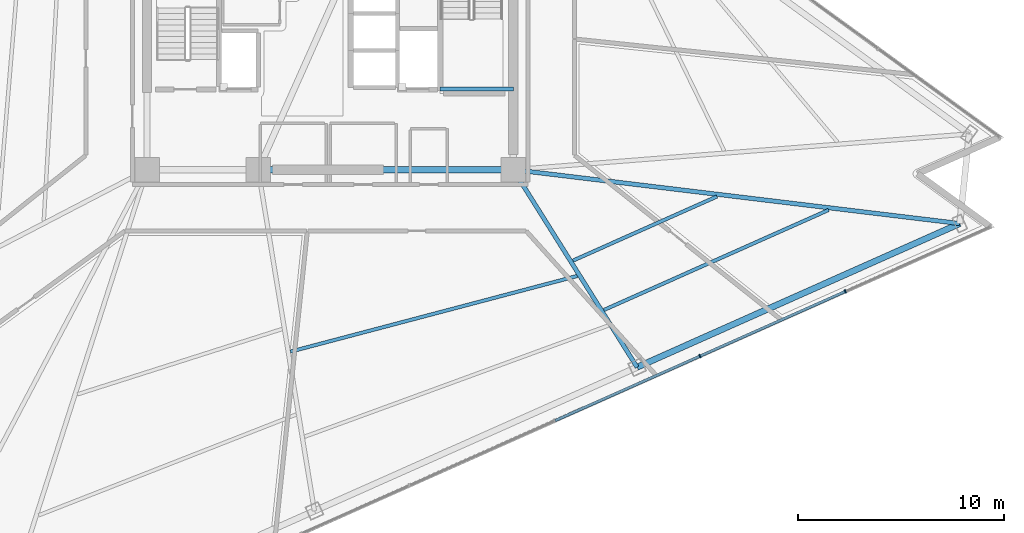
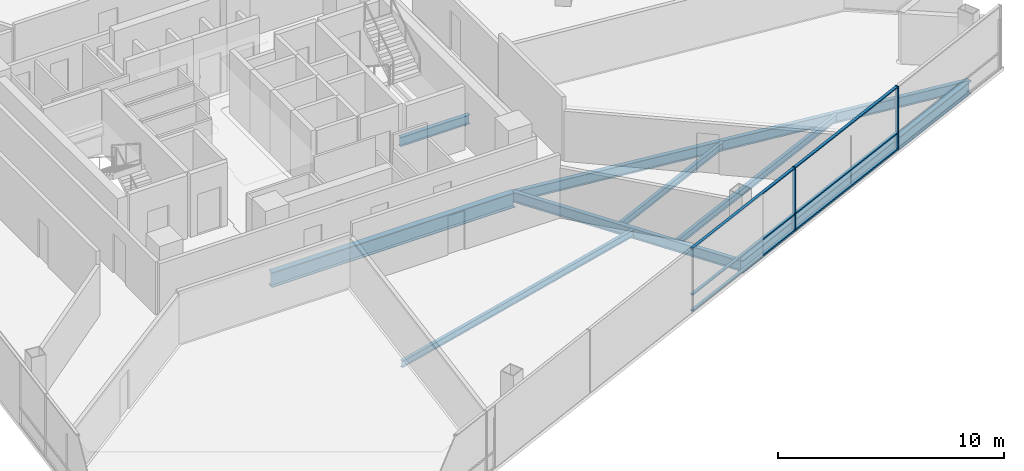
# One storey, part 5 of 19: 8 beams, 8 members, 1 element without a shape of its own.
"""IFC4 building model written with IfcOpenShell, lengths in metres."""

import ifcopenshell
import ifcopenshell.guid

model = None  # the IFC model being written
_history = None  # IfcOwnerHistory: only IFC2X3 demands one
_inside = {}  # id of a spatial element -> (the spatial element, [elements in it])
_under = {}  # id of a project, library or spatial element -> (it, [spatial elements below it])
_declared = {}  # id of a project -> (the project, [libraries it declares])
_typed = {}  # id of a type object -> (the type object, [elements of that type])
_made_of = {}  # id of a material, layer set ... -> (it, [elements and type objects made of it])


def new_model(schema):
    """Start an empty IFC model of exactly this schema.

    Asked for "IFC4X3", IfcOpenShell would pick the latest addendum, in which some entities
    have other attributes; the version numbers below select the first issue.
    IFC2X3 requires an IfcOwnerHistory on every rooted entity: one is made here for all.
    """
    global model, _history
    if schema == "IFC4X3":
        model = ifcopenshell.file(schema_version=(4, 3, 0, 0))
    else:
        model = ifcopenshell.file(schema=schema)
    _inside.clear()
    _under.clear()
    _declared.clear()
    _typed.clear()
    _made_of.clear()
    _history = None
    if model.schema == "IFC2X3":
        org = make("IfcOrganization", Name="unknown")
        user = make(
            "IfcPersonAndOrganization",
            ThePerson=make("IfcPerson", FamilyName="unknown"),
            TheOrganization=org,
        )
        app = make(
            "IfcApplication",
            ApplicationDeveloper=org,
            Version="unknown",
            ApplicationFullName="unknown",
            ApplicationIdentifier="unknown",
        )
        _history = make(
            "IfcOwnerHistory",
            OwningUser=user,
            OwningApplication=app,
            ChangeAction="ADDED",
            CreationDate=0,
        )
    return model


def make(cls, **values):
    """One entity of the class cls with the attributes given. An attribute that is None is left unset."""
    return model.create_entity(
        cls, **{name: value for name, value in values.items() if value is not None}
    )


def rooted(cls, **values):
    """An entity with a GlobalId (a new one), such as an element, a storey or a relation."""
    return make(cls, GlobalId=ifcopenshell.guid.new(), OwnerHistory=_history, **values)


def si_unit(unit_type, name, prefix=None):
    """IfcSIUnit, for example si_unit("LENGTHUNIT", "METRE", prefix="MILLI")."""
    return make("IfcSIUnit", UnitType=unit_type, Prefix=prefix, Name=name)


def assignment(units):
    """IfcUnitAssignment: the units of a project."""
    return None if units is None else make("IfcUnitAssignment", Units=units)


def point(xyz):
    """IfcCartesianPoint."""
    return None if xyz is None else make("IfcCartesianPoint", Coordinates=xyz)


def direction(xyz):
    """IfcDirection."""
    return None if xyz is None else make("IfcDirection", DirectionRatios=xyz)


def frame(location, z_axis=None, x_axis=None):
    """IfcAxis2Placement3D, a coordinate frame: its origin and axes. An axis left out is left unset."""
    return make(
        "IfcAxis2Placement3D",
        Location=point(location),
        Axis=direction(z_axis),
        RefDirection=direction(x_axis),
    )


def frame_2d(location, x_axis=None):
    """IfcAxis2Placement2D, a coordinate frame in the plane: its origin and x axis."""
    return make(
        "IfcAxis2Placement2D", Location=point(location), RefDirection=direction(x_axis)
    )


def origin():
    """The frame at (0, 0, 0) with its axes left unset."""
    return frame((0.0, 0.0, 0.0))


def origin_2d():
    """The frame at (0, 0) in the plane with its x axis left unset."""
    return frame_2d((0.0, 0.0))


def place(relative_to, where):
    """IfcLocalPlacement: puts the frame where relative to a parent placement (None: the world)."""
    return make(
        "IfcLocalPlacement", PlacementRelTo=relative_to, RelativePlacement=where
    )


def context(
    kind, dimensions, precision=None, world=None, true_north=None, identifier=None
):
    """IfcGeometricRepresentationContext, for example the 3D "Model" context."""
    return make(
        "IfcGeometricRepresentationContext",
        ContextIdentifier=identifier,
        ContextType=kind,
        CoordinateSpaceDimension=dimensions,
        Precision=precision,
        WorldCoordinateSystem=world,
        TrueNorth=true_north,
    )


def subcontext(parent, identifier, kind, view, scale=None):
    """IfcGeometricRepresentationSubContext, for example "Body" below "Model"."""
    return make(
        "IfcGeometricRepresentationSubContext",
        ContextIdentifier=identifier,
        ContextType=kind,
        ParentContext=parent,
        TargetScale=scale,
        TargetView=view,
    )


def project(units=None, contexts=None):
    """IfcProject with its units and contexts."""
    return rooted(
        "IfcProject",
        Name="project",
        RepresentationContexts=contexts,
        UnitsInContext=assignment(units),
    )


def spatial(cls, under=None, at=None, **own):
    """A site, building, storey or space (cls), placed at a placement, below another one or the project."""
    s = rooted(cls, ObjectPlacement=at, **own)
    if under is not None:
        _under.setdefault(under.id(), (under, []))[1].append(s)
    return s


def profile(cls, at=None, kind="AREA", **sizes):
    """A parametric profile (cls). Its sizes go by their IFC names, for example OverallWidth=200.0."""
    return make(cls, ProfileType=kind, Position=at, **sizes)


def rectangle(**sizes):
    """IfcRectangleProfileDef."""
    return profile("IfcRectangleProfileDef", **sizes)


def i_section(**sizes):
    """IfcIShapeProfileDef."""
    return profile("IfcIShapeProfileDef", **sizes)


def extrude(swept, where, along, depth):
    """IfcExtrudedAreaSolid: the profile swept, set in the frame where, extruded along a direction by depth."""
    return make(
        "IfcExtrudedAreaSolid",
        SweptArea=swept,
        Position=where,
        ExtrudedDirection=direction(along),
        Depth=depth,
    )


def shape(context_of_items, identifier, shape_type, items):
    """IfcShapeRepresentation: the items that make up one representation, for example the "Body"."""
    return make(
        "IfcShapeRepresentation",
        ContextOfItems=context_of_items,
        RepresentationIdentifier=identifier,
        RepresentationType=shape_type,
        Items=items,
    )


def material(Name=None, Category=None):
    """IfcMaterial."""
    return make("IfcMaterial", Name=Name, Category=Category)


def layer(
    of_material, thickness, ventilated=None, Name=None, Category=None, Priority=None
):
    """IfcMaterialLayer: one layer of a wall or slab, of a material (None: an air gap)."""
    return make(
        "IfcMaterialLayer",
        Material=of_material,
        LayerThickness=thickness,
        IsVentilated=ventilated,
        Name=Name,
        Category=Category,
        Priority=Priority,
    )


def layer_set(layers, Name=None):
    """IfcMaterialLayerSet."""
    return make("IfcMaterialLayerSet", MaterialLayers=layers, LayerSetName=Name)


def material_profile(
    of_material, cross_section, Name=None, Category=None, Priority=None
):
    """IfcMaterialProfile: a cross section and its material."""
    return make(
        "IfcMaterialProfile",
        Name=Name,
        Material=of_material,
        Profile=cross_section,
        Priority=Priority,
        Category=Category,
    )


def profile_set(profiles, Name=None, composite=None):
    """IfcMaterialProfileSet."""
    return make(
        "IfcMaterialProfileSet",
        Name=Name,
        MaterialProfiles=profiles,
        CompositeProfile=composite,
    )


def made_of(thing, what):
    """Note that an element or type object is made of a material, layer set ...; save() writes the relation."""
    if what is not None:
        _made_of.setdefault(what.id(), (what, []))[1].append(thing)
    return thing


def type_object(cls, material=None, **own):
    """A type object (cls), such as IfcWallType, which elements share."""
    return made_of(rooted(cls, **own), material)


def element(
    cls,
    number,
    at=None,
    inside=None,
    cuts=None,
    type_object=None,
    material=None,
    context=None,
    identifier="Body",
    shape_type=None,
    held_by="IfcProductDefinitionShape",
    body=None,
    shapes=None,
    **own,
):
    """One element of the class cls, such as IfcWall. Its Tag is "e" and its number.

    at: its placement. inside: the storey or other place that contains it. cuts: it is an
    opening in that element (IfcRelVoidsElement). A single representation is given by context,
    identifier, shape_type and body (its items); several are given by shapes. held_by: the class
    of the entity that holds the representations. save() writes the other relations.
    """
    e = rooted(cls, Tag="e%d" % number, ObjectPlacement=at, **own)
    if body is not None:
        shapes = [shape(context, identifier, shape_type, body)]
    if shapes is not None:
        e.Representation = make(held_by, Representations=shapes)
    if inside is not None:
        _inside.setdefault(inside.id(), (inside, []))[1].append(e)
    if cuts is not None:
        rooted(
            "IfcRelVoidsElement", RelatingBuildingElement=cuts, RelatedOpeningElement=e
        )
    if type_object is not None:
        _typed.setdefault(type_object.id(), (type_object, []))[1].append(e)
    return made_of(e, material)


def aggregate(whole, parts):
    """IfcRelAggregates: a whole, such as a stair, and the parts it consists of."""
    return rooted("IfcRelAggregates", RelatingObject=whole, RelatedObjects=parts)


def save(model, path):
    """Write the relations noted so far, then the file.

    IfcRelAggregates (storeys below a building ...), IfcRelContainedInSpatialStructure (elements
    in a storey), IfcRelDefinesByType, IfcRelAssociatesMaterial and IfcRelDeclares: one each for
    every whole, place, type object, material and project.
    """
    for whole, parts in _under.values():
        aggregate(whole, parts)
    for where, things in _inside.values():
        rooted(
            "IfcRelContainedInSpatialStructure",
            RelatedElements=things,
            RelatingStructure=where,
        )
    for kind, things in _typed.values():
        rooted("IfcRelDefinesByType", RelatedObjects=things, RelatingType=kind)
    for what, things in _made_of.values():
        rooted("IfcRelAssociatesMaterial", RelatedObjects=things, RelatingMaterial=what)
    for by, libraries in _declared.values():
        rooted("IfcRelDeclares", RelatingContext=by, RelatedDefinitions=libraries)
    model.write(path)


model = new_model("IFC4")

# Units and contexts
model_context = context("Model", 3, precision=1e-05, world=origin(), true_north=direction((0.0, 1.0)))
body_context = subcontext(model_context, "Body", "Model", "MODEL_VIEW")
ifc_project = project(units=[si_unit("LENGTHUNIT", "METRE"), si_unit("AREAUNIT", "SQUARE_METRE"), si_unit("VOLUMEUNIT", "CUBIC_METRE"), si_unit("PLANEANGLEUNIT", "RADIAN"), si_unit("MASSUNIT", "GRAM", prefix="KILO")], contexts=[model_context])

# Site, building, storey
site_placement = place(None, origin())
site = spatial("IfcSite", under=ifc_project, at=site_placement, CompositionType="ELEMENT")
building_placement = place(site_placement, origin())
building = spatial("IfcBuilding", under=site, at=building_placement, Name="Tharavind Bronze Gate", CompositionType="ELEMENT")
storey_placement = place(building_placement, frame((0.0, 0.0, 126.85009765625)))
storey = spatial("IfcBuildingStorey", under=building, at=storey_placement, Name="L32", CompositionType="ELEMENT", Elevation=126.85009765625)

# Curtain wall, members
ifc_material_1 = material(Name="Anodised Bronze Aluminium", Category="aluminium")
ifc_layer = layer(ifc_material_1, 0.219970703125)
ifc_layer_set = layer_set([ifc_layer], Name="Anodised Bronze Aluminium")
curtain_wall_type = type_object("IfcCurtainWallType", Name="UNITISED CURTAIN WALL LOWER OFFICE", PredefinedType="USERDEFINED", material=ifc_layer_set)
curtain_wall_placement = place(storey_placement, origin())
curtain_wall = element("IfcCurtainWall", 1, at=curtain_wall_placement, inside=storey, type_object=curtain_wall_type, Name="L32 unitised curtain wall lower office CW-L32-S2", ObjectType="UNITISED CURTAIN WALL", PredefinedType="USERDEFINED")
member_type_1 = type_object("IfcMemberType", Name="CURTAIN WALL BRONZE MULLION 65X180", PredefinedType="MULLION", material=ifc_material_1)
member_1_placement = place(storey_placement, frame((17.9755859375, -16.664306640625, 0.0), z_axis=(0.0, 0.0, 1.0), x_axis=(0.913545457643, 0.406736643076, 0.0)))
member_1 = element("IfcMember", 2, at=member_1_placement, type_object=member_type_1, Name="CW-L32-S2 mullion 6", PredefinedType="MULLION", context=body_context, shape_type="SweptSolid", body=[
    extrude(rectangle(XDim=0.06494140625, YDim=0.179931640625, at=origin_2d()), origin(), (0.0, 0.0, 1.0), 3.409912109375),
])
member_2_placement = place(storey_placement, frame((25.03759765625, -13.520263671875, 0.0), z_axis=(0.0, 0.0, 1.0), x_axis=(0.913545457643, 0.406736643076, 0.0)))
member_2 = element("IfcMember", 3, at=member_2_placement, type_object=member_type_1, Name="CW-L32-S2 mullion 7", PredefinedType="MULLION", context=body_context, shape_type="SweptSolid", body=[
    extrude(rectangle(XDim=0.06494140625, YDim=0.179931640625, at=origin_2d()), origin(), (0.0, 0.0, 1.0), 3.409912109375),
])
member_type_2 = type_object("IfcMemberType", Name="CURTAIN WALL BRONZE TRANSOM 65X140", PredefinedType="USERDEFINED", material=ifc_material_1)
member_3_placement = place(storey_placement, frame((14.4443359375, -18.236572265625, 0.0), z_axis=(0.0, 0.0, 1.0), x_axis=(0.913545457643, 0.406736643076, 0.0)))
member_3 = element("IfcMember", 4, at=member_3_placement, type_object=member_type_2, Name="CW-L32-S2 transom TB5", ObjectType="TRANSOM", PredefinedType="USERDEFINED", context=body_context, shape_type="SweptSolid", body=[
    extrude(rectangle(XDim=7.677490234375, YDim=0.139892578125, at=origin_2d()), origin(), (0.0, 0.0, 1.0), 0.06494140625),
])
member_4_placement = place(storey_placement, frame((14.4443359375, -18.236572265625, 0.867431640625), z_axis=(0.0, 0.0, 1.0), x_axis=(0.913545457643, 0.406736643076, 0.0)))
member_4 = element("IfcMember", 5, at=member_4_placement, type_object=member_type_2, Name="CW-L32-S2 transom TS5", ObjectType="TRANSOM", PredefinedType="USERDEFINED", context=body_context, shape_type="SweptSolid", body=[
    extrude(rectangle(XDim=7.677490234375, YDim=0.139892578125, at=origin_2d()), origin(), (0.0, 0.0, 1.0), 0.06494140625),
])
member_5_placement = place(storey_placement, frame((14.4443359375, -18.236572265625, 3.344970703125), z_axis=(0.0, 0.0, 1.0), x_axis=(0.913545457643, 0.406736643076, 0.0)))
member_5 = element("IfcMember", 6, at=member_5_placement, type_object=member_type_2, Name="CW-L32-S2 transom TT5", ObjectType="TRANSOM", PredefinedType="USERDEFINED", context=body_context, shape_type="SweptSolid", body=[
    extrude(rectangle(XDim=7.677490234375, YDim=0.139892578125, at=origin_2d()), origin(), (0.0, 0.0, 1.0), 0.06494140625),
])
member_6_placement = place(storey_placement, frame((21.506591796875, -15.09228515625, 0.0), z_axis=(0.0, 0.0, 1.0), x_axis=(0.913545457643, 0.406736643076, 0.0)))
member_6 = element("IfcMember", 7, at=member_6_placement, type_object=member_type_2, Name="CW-L32-S2 transom TB6", ObjectType="TRANSOM", PredefinedType="USERDEFINED", context=body_context, shape_type="SweptSolid", body=[
    extrude(rectangle(XDim=7.677490234375, YDim=0.139892578125, at=origin_2d()), origin(), (0.0, 0.0, 1.0), 0.06494140625),
])
member_7_placement = place(storey_placement, frame((21.506591796875, -15.09228515625, 0.867431640625), z_axis=(0.0, 0.0, 1.0), x_axis=(0.913545457643, 0.406736643076, 0.0)))
member_7 = element("IfcMember", 8, at=member_7_placement, type_object=member_type_2, Name="CW-L32-S2 transom TS6", ObjectType="TRANSOM", PredefinedType="USERDEFINED", context=body_context, shape_type="SweptSolid", body=[
    extrude(rectangle(XDim=7.677490234375, YDim=0.139892578125, at=origin_2d()), origin(), (0.0, 0.0, 1.0), 0.06494140625),
])
member_8_placement = place(storey_placement, frame((21.506591796875, -15.09228515625, 3.344970703125), z_axis=(0.0, 0.0, 1.0), x_axis=(0.913545457643, 0.406736643076, 0.0)))
member_8 = element("IfcMember", 9, at=member_8_placement, type_object=member_type_2, Name="CW-L32-S2 transom TT6", ObjectType="TRANSOM", PredefinedType="USERDEFINED", context=body_context, shape_type="SweptSolid", body=[
    extrude(rectangle(XDim=7.677490234375, YDim=0.139892578125, at=origin_2d()), origin(), (0.0, 0.0, 1.0), 0.06494140625),
])
aggregate(curtain_wall, [member_1, member_2, member_3, member_4, member_5, member_6, member_7, member_8])

# Beams
ifc_material_2 = material(Name="Steel S355", Category="steel")
ifc_material_profile_1 = material_profile(ifc_material_2, i_section(OverallWidth=0.199951171875, OverallDepth=0.5, WebThickness=0.01025390625, FlangeThickness=0.01611328125, at=origin_2d()), Name="IPE500")
ifc_profile_set_1 = profile_set([ifc_material_profile_1], Name="Steel S355")
beam_type_1 = type_object("IfcBeamType", Name="PRIMARY GIRDER IPE500", PredefinedType="USERDEFINED", material=ifc_profile_set_1)
beam_1_placement = place(storey_placement, frame((5.35009765625, -3.679931640625, 1.349853515625), z_axis=(1.0, 0.0, 0.0), x_axis=(0.0, 1.0, 0.0)))
element("IfcBeam", 10, at=beam_1_placement, inside=storey, type_object=beam_type_1, Name="L32 primary girder ipe500 BM-LD-ST2-L32-1", ObjectType="GIRDER", PredefinedType="USERDEFINED", context=body_context, shape_type="SweptSolid", body=[
    extrude(i_section(OverallWidth=0.199951171875, OverallDepth=0.5, WebThickness=0.01025390625, FlangeThickness=0.01611328125, at=origin_2d()), origin(), (0.0, 0.0, 1.0), 3.5498046875),
])
ifc_material_profile_2 = material_profile(ifc_material_2, i_section(OverallWidth=0.2099609375, OverallDepth=0.550048828125, WebThickness=0.010986328125, FlangeThickness=0.01708984375, at=origin_2d()), Name="IPE550")
ifc_profile_set_2 = profile_set([ifc_material_profile_2], Name="Steel S355")
beam_type_2 = type_object("IfcBeamType", Name="PRIMARY GIRDER IPE550", PredefinedType="USERDEFINED", material=ifc_profile_set_2)
beam_2_placement = place(storey_placement, frame((14.9208984375, -17.20361328125, -0.465087890625), z_axis=(-0.531191038732, 0.84725207605, 0.0), x_axis=(-0.84725207605, -0.531191038732, 0.0)))
element("IfcBeam", 11, at=beam_2_placement, inside=storey, type_object=beam_type_2, Name="L32 primary girder ipe550 BM-L32-RAD07", ObjectType="GIRDER", PredefinedType="USERDEFINED", context=body_context, shape_type="SweptSolid", body=[
    extrude(i_section(OverallWidth=0.2099609375, OverallDepth=0.550048828125, WebThickness=0.010986328125, FlangeThickness=0.01708984375, at=origin_2d()), origin(), (0.0, 0.0, 1.0), 11.3349609375),
])
beam_3_placement = place(storey_placement, frame((30.60791015625, -10.218994140625, -0.465087890625), z_axis=(-0.992801245425, 0.119773482384, 0.0), x_axis=(-0.119773482384, -0.992801245425, 0.0)))
element("IfcBeam", 12, at=beam_3_placement, inside=storey, type_object=beam_type_2, Name="L32 primary girder ipe550 BM-L32-RAD08", ObjectType="GIRDER", PredefinedType="USERDEFINED", context=body_context, shape_type="SweptSolid", body=[
    extrude(i_section(OverallWidth=0.2099609375, OverallDepth=0.550048828125, WebThickness=0.010986328125, FlangeThickness=0.01708984375, at=origin_2d()), origin(), (0.0, 0.0, 1.0), 21.865478515625),
])
ifc_material_profile_3 = material_profile(ifc_material_2, i_section(OverallWidth=0.300048828125, OverallDepth=0.699951171875, WebThickness=0.01708984375, FlangeThickness=0.031982421875, at=origin_2d()), Name="HE700B")
ifc_profile_set_3 = profile_set([ifc_material_profile_3], Name="Steel S355")
beam_type_3 = type_object("IfcBeamType", Name="RING GIRDER HE700B", PredefinedType="USERDEFINED", material=ifc_profile_set_3)
beam_4_placement = place(storey_placement, frame((14.9208984375, -17.20361328125, -0.5400390625), z_axis=(0.913538716284, 0.406751784078, 0.0), x_axis=(-0.406751784078, 0.913538716284, 0.0)))
element("IfcBeam", 13, at=beam_4_placement, inside=storey, type_object=beam_type_3, Name="L32 ring girder he700b BM-L32-PRG07", ObjectType="GIRDER", PredefinedType="USERDEFINED", context=body_context, shape_type="SweptSolid", body=[
    extrude(i_section(OverallWidth=0.300048828125, OverallDepth=0.699951171875, WebThickness=0.01708984375, FlangeThickness=0.031982421875, at=origin_2d()), origin(), (0.0, 0.0, 1.0), 17.171630859375),
])
ifc_material_profile_4 = material_profile(ifc_material_2, i_section(OverallWidth=0.300048828125, OverallDepth=0.800048828125, WebThickness=0.017578125, FlangeThickness=0.032958984375, at=origin_2d()), Name="HE800B")
ifc_profile_set_4 = profile_set([ifc_material_profile_4], Name="Steel S355")
beam_type_4 = type_object("IfcBeamType", Name="RING GIRDER HE800B", PredefinedType="USERDEFINED", material=ifc_profile_set_4)
beam_5_placement = place(storey_placement, frame((-3.5, -7.60009765625, -0.590087890625), z_axis=(1.0, 0.0, 0.0), x_axis=(0.0, 1.0, 0.0)))
element("IfcBeam", 14, at=beam_5_placement, inside=storey, type_object=beam_type_4, Name="L32 ring girder he800b BM-L32-CR2", ObjectType="GIRDER", PredefinedType="USERDEFINED", context=body_context, shape_type="SweptSolid", body=[
    extrude(i_section(OverallWidth=0.300048828125, OverallDepth=0.800048828125, WebThickness=0.017578125, FlangeThickness=0.032958984375, at=origin_2d()), origin(), (0.0, 0.0, 1.0), 12.39990234375),
])
ifc_material_profile_5 = material_profile(ifc_material_2, i_section(OverallWidth=0.169921875, OverallDepth=0.360107421875, WebThickness=0.008056640625, FlangeThickness=0.0126953125, at=origin_2d()), Name="IPE360")
ifc_profile_set_5 = profile_set([ifc_material_profile_5], Name="Steel S355")
beam_type_5 = type_object("IfcBeamType", Name="SECONDARY FLOOR JOIST IPE360", PredefinedType="JOIST", material=ifc_profile_set_5)
beam_6_placement = place(storey_placement, frame((-1.931640625, -16.446533203125, -0.3701171875), z_axis=(0.966897979759, 0.255163274667, 0.0), x_axis=(-0.255163274667, 0.966897979759, 0.0)))
element("IfcBeam", 15, at=beam_6_placement, inside=storey, type_object=beam_type_5, Name="L32 secondary floor joist ipe360 BM-L32-JSTA06", PredefinedType="JOIST", context=body_context, shape_type="SweptSolid", body=[
    extrude(i_section(OverallWidth=0.169921875, OverallDepth=0.360107421875, WebThickness=0.008056640625, FlangeThickness=0.0126953125, at=origin_2d()), origin(), (0.0, 0.0, 1.0), 14.419921875),
])
beam_7_placement = place(storey_placement, frame((11.80029296875, -12.02099609375, -0.3701171875), z_axis=(0.913531613224, 0.406767736725, 0.0), x_axis=(-0.406767736725, 0.913531613224, 0.0)))
element("IfcBeam", 16, at=beam_7_placement, inside=storey, type_object=beam_type_5, Name="L32 secondary floor joist ipe360 BM-L32-JSTA07", PredefinedType="JOIST", context=body_context, shape_type="SweptSolid", body=[
    extrude(i_section(OverallWidth=0.169921875, OverallDepth=0.360107421875, WebThickness=0.008056640625, FlangeThickness=0.0126953125, at=origin_2d()), origin(), (0.0, 0.0, 1.0), 7.666259765625),
])
beam_8_placement = place(storey_placement, frame((13.305419921875, -14.421630859375, -0.3701171875), z_axis=(0.913552919098, 0.406719883959, 0.0), x_axis=(-0.406719883959, 0.913552919098, 0.0)))
element("IfcBeam", 17, at=beam_8_placement, inside=storey, type_object=beam_type_5, Name="L32 secondary floor joist ipe360 BM-L32-JSTB07", PredefinedType="JOIST", context=body_context, shape_type="SweptSolid", body=[
    extrude(i_section(OverallWidth=0.169921875, OverallDepth=0.360107421875, WebThickness=0.008056640625, FlangeThickness=0.0126953125, at=origin_2d()), origin(), (0.0, 0.0, 1.0), 11.959228515625),
])

save(model, "model.ifc")
